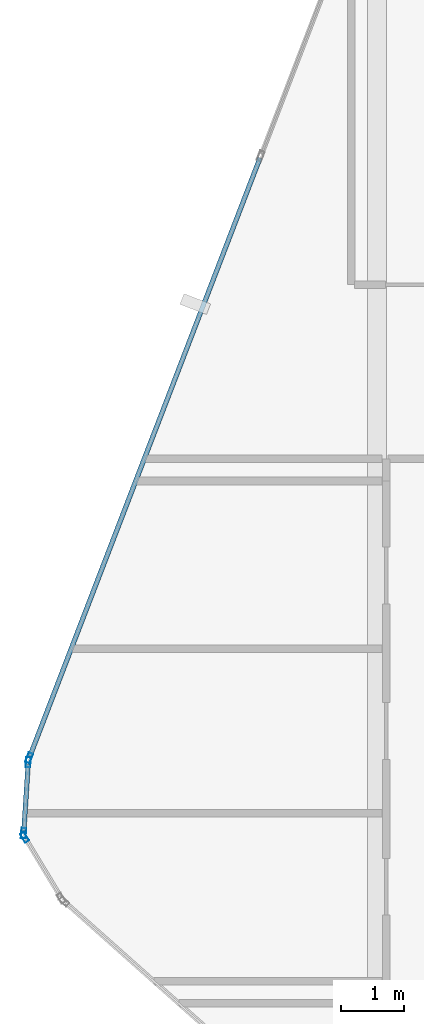
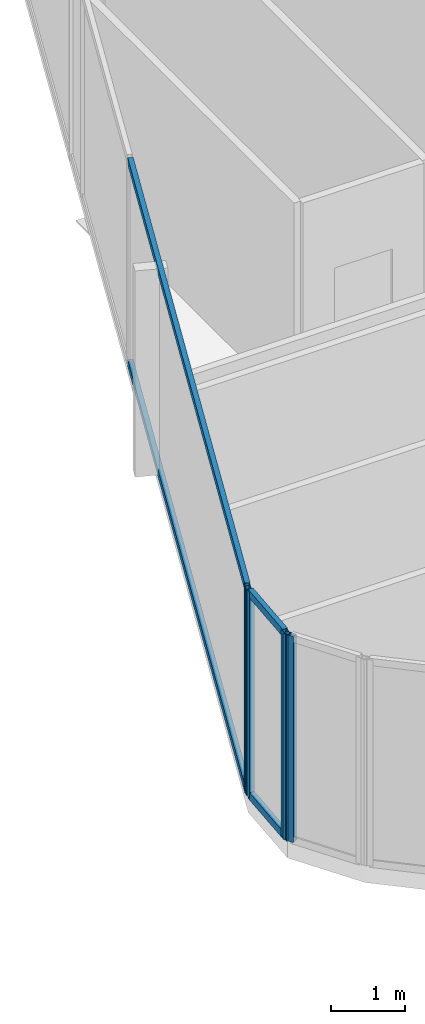
# One storey, part 8 of 28: 8 members, 3 elements without a shape of their own.
"""IFC4 building model written with IfcOpenShell, lengths in metres."""

from ifc_helpers import new_model, si_unit, direction, frame, origin, origin_2d, place, context, subcontext, project, spatial, hollow_rectangle, extrude, material, layer, layer_set, material_profile, profile_set, type_object, element, aggregate, save


model = new_model("IFC4")

# Units and contexts
model_context = context("Model", 3, precision=1e-05, world=origin(), true_north=direction((0.0, 1.0)))
body_context = subcontext(model_context, "Body", "Model", "MODEL_VIEW")
ifc_project = project(units=[si_unit("LENGTHUNIT", "METRE"), si_unit("AREAUNIT", "SQUARE_METRE"), si_unit("VOLUMEUNIT", "CUBIC_METRE"), si_unit("PLANEANGLEUNIT", "RADIAN"), si_unit("MASSUNIT", "GRAM", prefix="KILO")], contexts=[model_context])

# Site, building, storey
site_placement = place(None, origin())
site = spatial("IfcSite", under=ifc_project, at=site_placement, CompositionType="ELEMENT")
building_placement = place(site_placement, origin())
building = spatial("IfcBuilding", under=site, at=building_placement, Name="Keshet Zoharim Tower", CompositionType="ELEMENT")
storey_placement = place(building_placement, frame((0.0, 0.0, 258.39990234375)))
storey = spatial("IfcBuildingStorey", under=building, at=storey_placement, Name="L64", CompositionType="ELEMENT", Elevation=258.39990234375)

# Curtain wall, member
ifc_material = material(Name="Aluminium 6063-T6", Category="aluminium")
ifc_layer = layer(ifc_material, 0.260009765625)
ifc_layer_set = layer_set([ifc_layer], Name="Aluminium 6063-T6")
curtain_wall_type = type_object("IfcCurtainWallType", Name="CW-SYS-06", PredefinedType="NOTDEFINED", material=ifc_layer_set)
curtain_wall_1_placement = place(storey_placement, origin())
curtain_wall_1 = element("IfcCurtainWall", 1, at=curtain_wall_1_placement, inside=storey, type_object=curtain_wall_type, Name="L64 Unitised Curtain Wall 01", PredefinedType="NOTDEFINED")
ifc_material_profile_1 = material_profile(ifc_material, hollow_rectangle(XDim=0.074951171875, YDim=0.159912109375, WallThickness=0.00390625, at=origin_2d()), Name="MUL-75x160")
ifc_profile_set_1 = profile_set([ifc_material_profile_1], Name="Aluminium 6063-T6")
member_type_1 = type_object("IfcMemberType", Name="CWM-M15", PredefinedType="MULLION", material=ifc_profile_set_1)
member_1_placement = place(storey_placement, frame((3.43798828125, 22.77197265625, 0.0), z_axis=(0.0, 0.0, 1.0), x_axis=(-0.856826433805, -0.515604947933, 0.0)))
member_1 = element("IfcMember", 2, at=member_1_placement, type_object=member_type_1, Name="CW-06 mullion 2", PredefinedType="MULLION", context=body_context, shape_type="SweptSolid", body=[
    extrude(hollow_rectangle(XDim=0.074951171875, YDim=0.159912109375, WallThickness=0.00390625, at=origin_2d()), origin(), (0.0, 0.0, 1.0), 3.39013671875),
])
aggregate(curtain_wall_1, [member_1])

# Curtain wall, members
curtain_wall_2_placement = place(storey_placement, origin())
curtain_wall_2 = element("IfcCurtainWall", 3, at=curtain_wall_2_placement, inside=storey, type_object=curtain_wall_type, Name="L64 Unitised Curtain Wall 02", PredefinedType="NOTDEFINED")
member_2_placement = place(storey_placement, frame((3.42236328125, 22.8369140625, 0.0), z_axis=(0.0, 0.0, 1.0), x_axis=(-0.997916617186, 0.064516859374, 0.0)))
member_2 = element("IfcMember", 4, at=member_2_placement, type_object=member_type_1, Name="CW-06 mullion 1", PredefinedType="MULLION", context=body_context, shape_type="SweptSolid", body=[
    extrude(hollow_rectangle(XDim=0.074951171875, YDim=0.159912109375, WallThickness=0.00390625, at=origin_2d()), origin(), (0.0, 0.0, 1.0), 3.39013671875),
])
member_3_placement = place(storey_placement, frame((3.49462890625, 23.9580078125, 0.0), z_axis=(0.0, 0.0, 1.0), x_axis=(-0.997916617186, 0.064516859374, 0.0)))
member_3 = element("IfcMember", 5, at=member_3_placement, type_object=member_type_1, Name="CW-06 mullion 2", PredefinedType="MULLION", context=body_context, shape_type="SweptSolid", body=[
    extrude(hollow_rectangle(XDim=0.074951171875, YDim=0.159912109375, WallThickness=0.00390625, at=origin_2d()), origin(), (0.0, 0.0, 1.0), 3.39013671875),
])

# Curtain wall, member
curtain_wall_3_placement = place(storey_placement, origin())
curtain_wall_3 = element("IfcCurtainWall", 6, at=curtain_wall_3_placement, inside=storey, type_object=curtain_wall_type, Name="L64 Unitised Curtain Wall 03", PredefinedType="NOTDEFINED")
member_4_placement = place(storey_placement, frame((3.509521484375, 24.025634765625, 0.0), z_axis=(0.0, 0.0, 1.0), x_axis=(-0.933341404361, 0.358990003907, 0.0)))
member_4 = element("IfcMember", 7, at=member_4_placement, type_object=member_type_1, Name="CW-06 mullion 1", PredefinedType="MULLION", context=body_context, shape_type="SweptSolid", body=[
    extrude(hollow_rectangle(XDim=0.074951171875, YDim=0.159912109375, WallThickness=0.00390625, at=origin_2d()), origin(), (0.0, 0.0, 1.0), 3.39013671875),
])

# Member
ifc_material_profile_2 = material_profile(ifc_material, hollow_rectangle(XDim=0.074951171875, YDim=0.1201171875, WallThickness=0.00390625, at=origin_2d()), Name="TRN-75x120")
ifc_profile_set_2 = profile_set([ifc_material_profile_2], Name="Aluminium 6063-T6")
member_type_2 = type_object("IfcMemberType", Name="CWT-T12", PredefinedType="USERDEFINED", material=ifc_profile_set_2)
member_5_placement = place(storey_placement, frame((3.424560546875, 22.871826171875, 0.03515625), z_axis=(0.064426947155, 0.997922426083, 0.0), x_axis=(-0.997922426083, 0.064426947155, 0.0)))
member_5 = element("IfcMember", 8, at=member_5_placement, type_object=member_type_2, Name="CW-06 transom 1.1", ObjectType="TRANSOM", PredefinedType="USERDEFINED", context=body_context, shape_type="SweptSolid", body=[
    extrude(hollow_rectangle(XDim=0.074951171875, YDim=0.1201171875, WallThickness=0.00390625, at=origin_2d()), origin(), (0.0, 0.0, 1.0), 1.053466796875),
])

member_6_placement = place(storey_placement, frame((3.424560546875, 22.871826171875, 3.35498046875), z_axis=(0.064426947155, 0.997922426083, 0.0), x_axis=(-0.997922426083, 0.064426947155, 0.0)))
member_6 = element("IfcMember", 9, at=member_6_placement, type_object=member_type_2, Name="CW-06 transom 1.2", ObjectType="TRANSOM", PredefinedType="USERDEFINED", context=body_context, shape_type="SweptSolid", body=[
    extrude(hollow_rectangle(XDim=0.074951171875, YDim=0.1201171875, WallThickness=0.00390625, at=origin_2d()), origin(), (0.0, 0.0, 1.0), 1.053466796875),
])

aggregate(curtain_wall_2, [member_2, member_3, member_5, member_6])

member_7_placement = place(storey_placement, frame((3.522216796875, 24.058349609375, 0.03515625), z_axis=(0.358993631387, 0.93334000912, 0.0), x_axis=(-0.93334000912, 0.358993631387, 0.0)))
member_7 = element("IfcMember", 10, at=member_7_placement, type_object=member_type_2, Name="CW-06 transom 1.1", ObjectType="TRANSOM", PredefinedType="USERDEFINED", context=body_context, shape_type="SweptSolid", body=[
    extrude(hollow_rectangle(XDim=0.074951171875, YDim=0.1201171875, WallThickness=0.00390625, at=origin_2d()), origin(), (0.0, 0.0, 1.0), 10.1181640625),
])

member_8_placement = place(storey_placement, frame((3.522216796875, 24.058349609375, 3.35498046875), z_axis=(0.358993631387, 0.93334000912, 0.0), x_axis=(-0.93334000912, 0.358993631387, 0.0)))
member_8 = element("IfcMember", 11, at=member_8_placement, type_object=member_type_2, Name="CW-06 transom 1.2", ObjectType="TRANSOM", PredefinedType="USERDEFINED", context=body_context, shape_type="SweptSolid", body=[
    extrude(hollow_rectangle(XDim=0.074951171875, YDim=0.1201171875, WallThickness=0.00390625, at=origin_2d()), origin(), (0.0, 0.0, 1.0), 10.1181640625),
])

aggregate(curtain_wall_3, [member_4, member_7, member_8])

save(model, "model.ifc")
